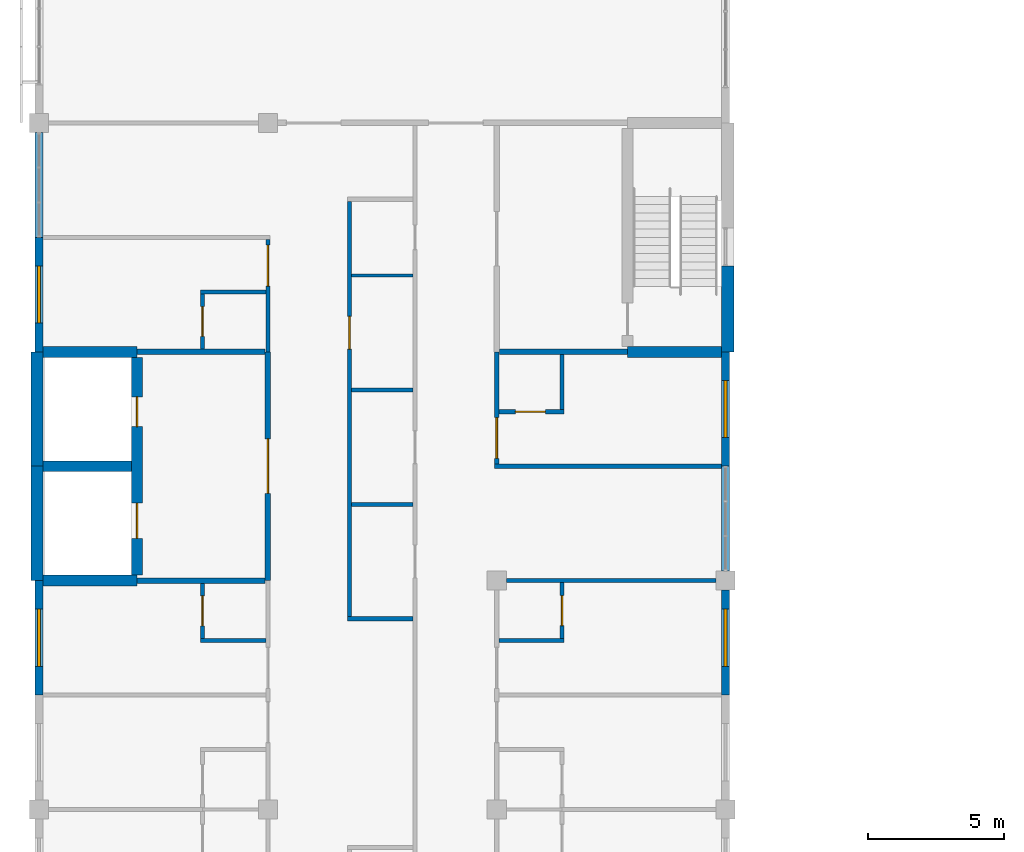
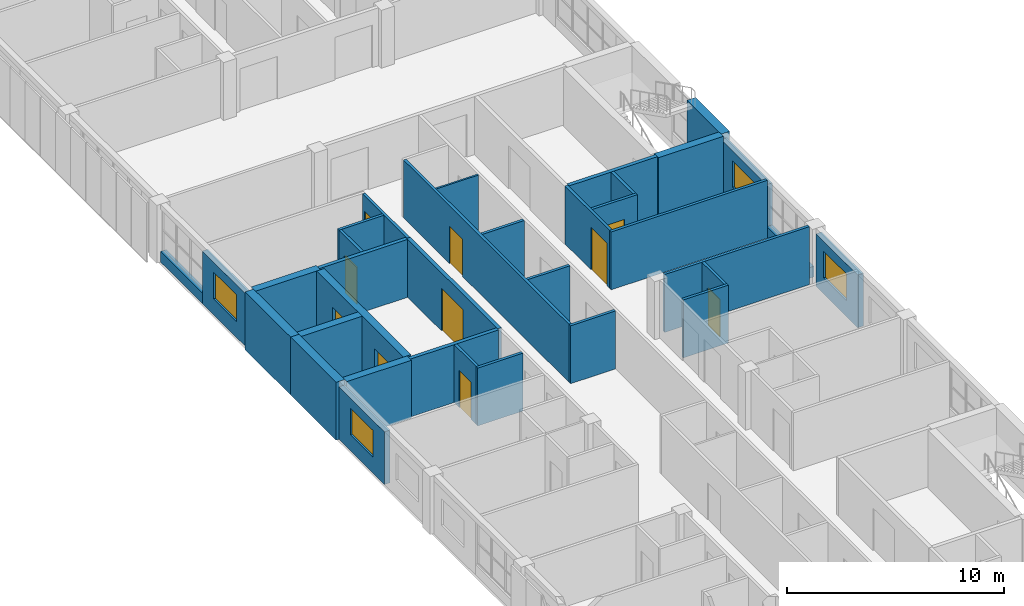
# One storey, part 40 of 61: 35 walls, 10 doors, 4 windows, 14 openings.
"""IFC4 building model written with IfcOpenShell, lengths in metres."""

import ifcopenshell
import ifcopenshell.guid

model = None  # the IFC model being written
_history = None  # IfcOwnerHistory: only IFC2X3 demands one
_inside = {}  # id of a spatial element -> (the spatial element, [elements in it])
_under = {}  # id of a project, library or spatial element -> (it, [spatial elements below it])
_declared = {}  # id of a project -> (the project, [libraries it declares])
_typed = {}  # id of a type object -> (the type object, [elements of that type])
_made_of = {}  # id of a material, layer set ... -> (it, [elements and type objects made of it])


def new_model(schema):
    """Start an empty IFC model of exactly this schema.

    Asked for "IFC4X3", IfcOpenShell would pick the latest addendum, in which some entities
    have other attributes; the version numbers below select the first issue.
    IFC2X3 requires an IfcOwnerHistory on every rooted entity: one is made here for all.
    """
    global model, _history
    if schema == "IFC4X3":
        model = ifcopenshell.file(schema_version=(4, 3, 0, 0))
    else:
        model = ifcopenshell.file(schema=schema)
    _inside.clear()
    _under.clear()
    _declared.clear()
    _typed.clear()
    _made_of.clear()
    _history = None
    if model.schema == "IFC2X3":
        org = make("IfcOrganization", Name="unknown")
        user = make(
            "IfcPersonAndOrganization",
            ThePerson=make("IfcPerson", FamilyName="unknown"),
            TheOrganization=org,
        )
        app = make(
            "IfcApplication",
            ApplicationDeveloper=org,
            Version="unknown",
            ApplicationFullName="unknown",
            ApplicationIdentifier="unknown",
        )
        _history = make(
            "IfcOwnerHistory",
            OwningUser=user,
            OwningApplication=app,
            ChangeAction="ADDED",
            CreationDate=0,
        )
    return model


def make(cls, **values):
    """One entity of the class cls with the attributes given. An attribute that is None is left unset."""
    return model.create_entity(
        cls, **{name: value for name, value in values.items() if value is not None}
    )


def rooted(cls, **values):
    """An entity with a GlobalId (a new one), such as an element, a storey or a relation."""
    return make(cls, GlobalId=ifcopenshell.guid.new(), OwnerHistory=_history, **values)


def si_unit(unit_type, name, prefix=None):
    """IfcSIUnit, for example si_unit("LENGTHUNIT", "METRE", prefix="MILLI")."""
    return make("IfcSIUnit", UnitType=unit_type, Prefix=prefix, Name=name)


def assignment(units):
    """IfcUnitAssignment: the units of a project."""
    return None if units is None else make("IfcUnitAssignment", Units=units)


def point(xyz):
    """IfcCartesianPoint."""
    return None if xyz is None else make("IfcCartesianPoint", Coordinates=xyz)


def direction(xyz):
    """IfcDirection."""
    return None if xyz is None else make("IfcDirection", DirectionRatios=xyz)


def frame(location, z_axis=None, x_axis=None):
    """IfcAxis2Placement3D, a coordinate frame: its origin and axes. An axis left out is left unset."""
    return make(
        "IfcAxis2Placement3D",
        Location=point(location),
        Axis=direction(z_axis),
        RefDirection=direction(x_axis),
    )


def frame_2d(location, x_axis=None):
    """IfcAxis2Placement2D, a coordinate frame in the plane: its origin and x axis."""
    return make(
        "IfcAxis2Placement2D", Location=point(location), RefDirection=direction(x_axis)
    )


def origin():
    """The frame at (0, 0, 0) with its axes left unset."""
    return frame((0.0, 0.0, 0.0))


def place(relative_to, where):
    """IfcLocalPlacement: puts the frame where relative to a parent placement (None: the world)."""
    return make(
        "IfcLocalPlacement", PlacementRelTo=relative_to, RelativePlacement=where
    )


def context(
    kind, dimensions, precision=None, world=None, true_north=None, identifier=None
):
    """IfcGeometricRepresentationContext, for example the 3D "Model" context."""
    return make(
        "IfcGeometricRepresentationContext",
        ContextIdentifier=identifier,
        ContextType=kind,
        CoordinateSpaceDimension=dimensions,
        Precision=precision,
        WorldCoordinateSystem=world,
        TrueNorth=true_north,
    )


def subcontext(parent, identifier, kind, view, scale=None):
    """IfcGeometricRepresentationSubContext, for example "Body" below "Model"."""
    return make(
        "IfcGeometricRepresentationSubContext",
        ContextIdentifier=identifier,
        ContextType=kind,
        ParentContext=parent,
        TargetScale=scale,
        TargetView=view,
    )


def project(units=None, contexts=None):
    """IfcProject with its units and contexts."""
    return rooted(
        "IfcProject",
        Name="project",
        RepresentationContexts=contexts,
        UnitsInContext=assignment(units),
    )


def spatial(cls, under=None, at=None, **own):
    """A site, building, storey or space (cls), placed at a placement, below another one or the project."""
    s = rooted(cls, ObjectPlacement=at, **own)
    if under is not None:
        _under.setdefault(under.id(), (under, []))[1].append(s)
    return s


def profile(cls, at=None, kind="AREA", **sizes):
    """A parametric profile (cls). Its sizes go by their IFC names, for example OverallWidth=200.0."""
    return make(cls, ProfileType=kind, Position=at, **sizes)


def rectangle(**sizes):
    """IfcRectangleProfileDef."""
    return profile("IfcRectangleProfileDef", **sizes)


def extrude(swept, where, along, depth):
    """IfcExtrudedAreaSolid: the profile swept, set in the frame where, extruded along a direction by depth."""
    return make(
        "IfcExtrudedAreaSolid",
        SweptArea=swept,
        Position=where,
        ExtrudedDirection=direction(along),
        Depth=depth,
    )


def shape(context_of_items, identifier, shape_type, items):
    """IfcShapeRepresentation: the items that make up one representation, for example the "Body"."""
    return make(
        "IfcShapeRepresentation",
        ContextOfItems=context_of_items,
        RepresentationIdentifier=identifier,
        RepresentationType=shape_type,
        Items=items,
    )


def material(Name=None, Category=None):
    """IfcMaterial."""
    return make("IfcMaterial", Name=Name, Category=Category)


def layer(
    of_material, thickness, ventilated=None, Name=None, Category=None, Priority=None
):
    """IfcMaterialLayer: one layer of a wall or slab, of a material (None: an air gap)."""
    return make(
        "IfcMaterialLayer",
        Material=of_material,
        LayerThickness=thickness,
        IsVentilated=ventilated,
        Name=Name,
        Category=Category,
        Priority=Priority,
    )


def layer_set(layers, Name=None):
    """IfcMaterialLayerSet."""
    return make("IfcMaterialLayerSet", MaterialLayers=layers, LayerSetName=Name)


def made_of(thing, what):
    """Note that an element or type object is made of a material, layer set ...; save() writes the relation."""
    if what is not None:
        _made_of.setdefault(what.id(), (what, []))[1].append(thing)
    return thing


def type_object(cls, material=None, **own):
    """A type object (cls), such as IfcWallType, which elements share."""
    return made_of(rooted(cls, **own), material)


def element(
    cls,
    number,
    at=None,
    inside=None,
    cuts=None,
    type_object=None,
    material=None,
    context=None,
    identifier="Body",
    shape_type=None,
    held_by="IfcProductDefinitionShape",
    body=None,
    shapes=None,
    **own,
):
    """One element of the class cls, such as IfcWall. Its Tag is "e" and its number.

    at: its placement. inside: the storey or other place that contains it. cuts: it is an
    opening in that element (IfcRelVoidsElement). A single representation is given by context,
    identifier, shape_type and body (its items); several are given by shapes. held_by: the class
    of the entity that holds the representations. save() writes the other relations.
    """
    e = rooted(cls, Tag="e%d" % number, ObjectPlacement=at, **own)
    if body is not None:
        shapes = [shape(context, identifier, shape_type, body)]
    if shapes is not None:
        e.Representation = make(held_by, Representations=shapes)
    if inside is not None:
        _inside.setdefault(inside.id(), (inside, []))[1].append(e)
    if cuts is not None:
        rooted(
            "IfcRelVoidsElement", RelatingBuildingElement=cuts, RelatedOpeningElement=e
        )
    if type_object is not None:
        _typed.setdefault(type_object.id(), (type_object, []))[1].append(e)
    return made_of(e, material)


def fill(opening, filler):
    """IfcRelFillsElement: the door or window that sits in an opening."""
    return rooted(
        "IfcRelFillsElement",
        RelatingOpeningElement=opening,
        RelatedBuildingElement=filler,
    )


def aggregate(whole, parts):
    """IfcRelAggregates: a whole, such as a stair, and the parts it consists of."""
    return rooted("IfcRelAggregates", RelatingObject=whole, RelatedObjects=parts)


def save(model, path):
    """Write the relations noted so far, then the file.

    IfcRelAggregates (storeys below a building ...), IfcRelContainedInSpatialStructure (elements
    in a storey), IfcRelDefinesByType, IfcRelAssociatesMaterial and IfcRelDeclares: one each for
    every whole, place, type object, material and project.
    """
    for whole, parts in _under.values():
        aggregate(whole, parts)
    for where, things in _inside.values():
        rooted(
            "IfcRelContainedInSpatialStructure",
            RelatedElements=things,
            RelatingStructure=where,
        )
    for kind, things in _typed.values():
        rooted("IfcRelDefinesByType", RelatedObjects=things, RelatingType=kind)
    for what, things in _made_of.values():
        rooted("IfcRelAssociatesMaterial", RelatedObjects=things, RelatingMaterial=what)
    for by, libraries in _declared.values():
        rooted("IfcRelDeclares", RelatingContext=by, RelatedDefinitions=libraries)
    model.write(path)


model = new_model("IFC4")

# Units and contexts
model_context = context("Model", 3, precision=1e-05, world=origin(), true_north=direction((0.0, 1.0)))
body_context = subcontext(model_context, "Body", "Model", "MODEL_VIEW")
ifc_project = project(units=[si_unit("LENGTHUNIT", "METRE"), si_unit("AREAUNIT", "SQUARE_METRE"), si_unit("VOLUMEUNIT", "CUBIC_METRE"), si_unit("PLANEANGLEUNIT", "RADIAN"), si_unit("MASSUNIT", "GRAM", prefix="KILO")], contexts=[model_context])

# Site, building, storey
site_placement = place(None, origin())
site = spatial("IfcSite", under=ifc_project, at=site_placement, CompositionType="ELEMENT")
building_placement = place(site_placement, origin())
building = spatial("IfcBuilding", under=site, at=building_placement, Name="Yavir Park General Hospital", CompositionType="ELEMENT")
storey_placement = place(building_placement, frame((0.0, 0.0, 15.300048828125)))
storey = spatial("IfcBuildingStorey", under=building, at=storey_placement, Name="L03", CompositionType="ELEMENT", Elevation=15.300048828125)

# Walls
ifc_material_1 = material(Name="Double gypsum board fire partition on steel studs", Category="steel")
ifc_layer_1 = layer(ifc_material_1, 0.199951171875)
ifc_layer_set_1 = layer_set([ifc_layer_1], Name="Double gypsum board fire partition on steel studs")
wall_type_1 = type_object("IfcWallType", Name="Fire-rated partition 200, EI 60", PredefinedType="PARTITIONING", material=ifc_layer_set_1)
for number, where, z_axis, x_axis, name in (
    (1, (3.60009765625, 67.199951171875, 0.0), (0.0, 0.0, 1.0), (1.0, 0.0, 0.0), "FP20 L03-103"),
    (2, (3.60009765625, 75.60009765625, 0.0), (0.0, 0.0, 1.0), (1.0, 0.0, 0.0), "FP20 L03-111"),
):
    element("IfcWall", number, at=place(storey_placement, frame(where, z_axis=z_axis, x_axis=x_axis)), inside=storey, type_object=wall_type_1, Name=name, PredefinedType="PARTITIONING", context=body_context, shape_type="SweptSolid", body=[
        extrude(rectangle(XDim=4.699951171875, YDim=0.199951171875, at=frame_2d((2.35009765625, 0.0))), origin(), (0.0, 0.0, 1.0), 3.260009765625),
    ])
wall_1_placement = place(storey_placement, frame((16.89990234375, 75.60009765625, 0.0), z_axis=(0.0, 0.0, 1.0), x_axis=(1.0, 0.0, 0.0)))
element("IfcWall", 3, at=wall_1_placement, inside=storey, type_object=wall_type_1, Name="FP20 L03-112", PredefinedType="PARTITIONING", context=body_context, shape_type="SweptSolid", body=[
    extrude(rectangle(XDim=4.7001953125, YDim=0.199951171875, at=frame_2d((2.35009765625, 0.0))), origin(), (0.0, 0.0, 1.0), 3.260009765625),
])

# Wall, opening, door
wall_2_placement = place(storey_placement, frame((8.39990234375, 67.199951171875, 0.0), z_axis=(0.0, 0.0, 1.0), x_axis=(0.0, 1.0, 0.0)))
wall_2 = element("IfcWall", 4, at=wall_2_placement, inside=storey, type_object=wall_type_1, Name="FP20 L03-172", PredefinedType="PARTITIONING", context=body_context, shape_type="SweptSolid", body=[
    extrude(rectangle(XDim=8.400146484375, YDim=0.199951171875, at=frame_2d((4.2001953125, 0.0))), origin(), (0.0, 0.0, 1.0), 3.260009765625),
])
opening_1_placement = place(wall_2_placement, frame((3.199951171875, 0.0, 0.0)))
opening_1 = element("IfcOpeningElement", 5, at=opening_1_placement, cuts=wall_2, Name="Opening L03.D112", PredefinedType="OPENING", context=body_context, shape_type="SweptSolid", body=[
    extrude(rectangle(XDim=2.0, YDim=2.39990234375, at=frame_2d((1.0, 1.199951171875))), frame((0.0, 0.10986328125, 0.0), z_axis=(0.0, -1.0, 0.0), x_axis=(1.0, 0.0, 0.0)), (0.0, 0.0, 1.0), 0.219970703125),
])
ifc_material_2 = material(Name="Steel frame, fire-resisting leaves with vision panels", Category="steel")
door_type_1 = type_object("IfcDoorType", Name="Double fire door with vision panels 2000 x 2400, EI 60", OperationType="DOUBLE_DOOR_SINGLE_SWING", PredefinedType="DOOR", material=ifc_material_2)
door_1_placement = place(opening_1_placement, origin())
door_1 = element("IfcDoor", 6, at=door_1_placement, inside=storey, type_object=door_type_1, Name="L03.D112", OperationType="SINGLE_SWING_RIGHT", OverallHeight=2.39990234375, OverallWidth=2.0, PredefinedType="DOOR", context=body_context, shape_type="SweptSolid", body=[
    extrude(rectangle(XDim=2.0, YDim=2.39990234375, at=frame_2d((1.0, 1.199951171875))), frame((0.0, 0.030029296875, 0.0), z_axis=(0.0, -1.0, 0.0), x_axis=(1.0, 0.0, 0.0)), (0.0, 0.0, 1.0), 0.06005859375),
])
fill(opening_1, door_1)

# Walls
ifc_material_3 = material(Name="Gypsum board partition on steel studs", Category="steel")
ifc_layer_2 = layer(ifc_material_3, 0.10009765625)
ifc_layer_set_2 = layer_set([ifc_layer_2], Name="Gypsum board partition on steel studs")
wall_type_2 = type_object("IfcWallType", Name="Gypsum board partition 100", PredefinedType="PARTITIONING", material=ifc_layer_set_2)
wall_3_placement = place(storey_placement, frame((11.47509765625, 78.39990234375, 0.0), z_axis=(0.0, 0.0, 1.0), x_axis=(1.0, 0.0, 0.0)))
element("IfcWall", 7, at=wall_3_placement, inside=storey, type_object=wall_type_2, Name="P10 L03-115", PredefinedType="PARTITIONING", context=body_context, shape_type="SweptSolid", body=[
    extrude(rectangle(XDim=2.25, YDim=0.10009765625, at=frame_2d((1.125, 0.0))), origin(), (0.0, 0.0, 1.0), 3.260009765625),
])
ifc_material_4 = material(Name="Gypsum board partition on steel studs", Category="steel")
ifc_layer_3 = layer(ifc_material_4, 0.14990234375)
ifc_layer_set_3 = layer_set([ifc_layer_3], Name="Gypsum board partition on steel studs")
wall_type_3 = type_object("IfcWallType", Name="Gypsum board partition 150", PredefinedType="PARTITIONING", material=ifc_layer_set_3)
for number, where, z_axis, x_axis, name in (
    (8, (5.925048828125, 65.0, 0.0), (0.0, 0.0, 1.0), (1.0, 0.0, 0.0), "P15 L03-099"),
    (9, (16.875, 65.0, 0.0), (0.0, 0.0, 1.0), (1.0, 0.0, 0.0), "P15 L03-100"),
):
    element("IfcWall", number, at=place(storey_placement, frame(where, z_axis=z_axis, x_axis=x_axis)), inside=storey, type_object=wall_type_3, Name=name, PredefinedType="PARTITIONING", context=body_context, shape_type="SweptSolid", body=[
        extrude(rectangle(XDim=2.39990234375, YDim=0.14990234375, at=frame_2d((1.199951171875, 0.0))), origin(), (0.0, 0.0, 1.0), 3.260009765625),
    ])
wall_4_placement = place(storey_placement, frame((11.324951171875, 65.800048828125, 0.0), z_axis=(0.0, 0.0, 1.0), x_axis=(1.0, 0.0, 0.0)))
element("IfcWall", 10, at=wall_4_placement, inside=storey, type_object=wall_type_3, Name="P15 L03-101", PredefinedType="PARTITIONING", context=body_context, shape_type="SweptSolid", body=[
    extrude(rectangle(XDim=2.400146484375, YDim=0.14990234375, at=frame_2d((1.2001953125, 0.0))), origin(), (0.0, 0.0, 1.0), 3.260009765625),
])
wall_5_placement = place(storey_placement, frame((17.14990234375, 67.199951171875, 0.0), z_axis=(0.0, 0.0, 1.0), x_axis=(1.0, 0.0, 0.0)))
element("IfcWall", 11, at=wall_5_placement, inside=storey, type_object=wall_type_3, Name="P15 L03-104", PredefinedType="PARTITIONING", context=body_context, shape_type="SweptSolid", body=[
    extrude(rectangle(XDim=7.7001953125, YDim=0.14990234375, at=frame_2d((3.85009765625, 0.0))), origin(), (0.0, 0.0, 1.0), 3.260009765625),
])
wall_6_placement = place(storey_placement, frame((11.47509765625, 70.0, 0.0), z_axis=(0.0, 0.0, 1.0), x_axis=(1.0, 0.0, 0.0)))
element("IfcWall", 12, at=wall_6_placement, inside=storey, type_object=wall_type_3, Name="P15 L03-105", PredefinedType="PARTITIONING", context=body_context, shape_type="SweptSolid", body=[
    extrude(rectangle(XDim=2.25, YDim=0.14990234375, at=frame_2d((1.125, 0.0))), origin(), (0.0, 0.0, 1.0), 3.260009765625),
])
wall_7_placement = place(storey_placement, frame((16.72509765625, 71.39990234375, 0.0), z_axis=(0.0, 0.0, 1.0), x_axis=(1.0, 0.0, 0.0)))
element("IfcWall", 13, at=wall_7_placement, inside=storey, type_object=wall_type_3, Name="P15 L03-107", PredefinedType="PARTITIONING", context=body_context, shape_type="SweptSolid", body=[
    extrude(rectangle(XDim=8.324951171875, YDim=0.14990234375, at=frame_2d((4.16259765625, 0.0))), origin(), (0.0, 0.0, 1.0), 3.260009765625),
])

# Wall, opening, door
wall_8_placement = place(storey_placement, frame((16.875, 73.39990234375, 0.0), z_axis=(0.0, 0.0, 1.0), x_axis=(1.0, 0.0, 0.0)))
wall_8 = element("IfcWall", 14, at=wall_8_placement, inside=storey, type_object=wall_type_3, Name="P15 L03-108", PredefinedType="PARTITIONING", context=body_context, shape_type="SweptSolid", body=[
    extrude(rectangle(XDim=2.39990234375, YDim=0.14990234375, at=frame_2d((1.199951171875, 0.0))), origin(), (0.0, 0.0, 1.0), 3.260009765625),
])
opening_2_placement = place(wall_8_placement, frame((0.612548828125, 0.0, 0.0)))
opening_2 = element("IfcOpeningElement", 15, at=opening_2_placement, cuts=wall_8, Name="Opening L03.D083", PredefinedType="OPENING", context=body_context, shape_type="SweptSolid", body=[
    extrude(rectangle(XDim=1.10009765625, YDim=2.10009765625, at=frame_2d((0.550048828125, 1.050048828125))), frame((0.0, 0.0849609375, 0.0), z_axis=(0.0, -1.0, 0.0), x_axis=(1.0, 0.0, 0.0)), (0.0, 0.0, 1.0), 0.169921875),
])
ifc_material_5 = material(Name="Hollow metal frame, solid-core timber leaf", Category="wood")
door_type_2 = type_object("IfcDoorType", Name="Single swing door 1100 x 2100", OperationType="SINGLE_SWING_LEFT", PredefinedType="DOOR", material=ifc_material_5)
door_2_placement = place(opening_2_placement, origin())
door_2 = element("IfcDoor", 16, at=door_2_placement, inside=storey, type_object=door_type_2, Name="L03.D083", OperationType="SINGLE_SWING_LEFT", OverallHeight=2.10009765625, OverallWidth=1.10009765625, PredefinedType="DOOR", context=body_context, shape_type="SweptSolid", body=[
    extrude(rectangle(XDim=1.10009765625, YDim=2.10009765625, at=frame_2d((0.550048828125, 1.050048828125))), frame((0.0, 0.02490234375, 0.0), z_axis=(0.0, -1.0, 0.0), x_axis=(1.0, 0.0, 0.0)), (0.0, 0.0, 1.0), 0.050048828125),
])
fill(opening_2, door_2)

# Walls
wall_9_placement = place(storey_placement, frame((11.47509765625, 74.199951171875, 0.0), z_axis=(0.0, 0.0, 1.0), x_axis=(1.0, 0.0, 0.0)))
element("IfcWall", 17, at=wall_9_placement, inside=storey, type_object=wall_type_3, Name="P15 L03-109", PredefinedType="PARTITIONING", context=body_context, shape_type="SweptSolid", body=[
    extrude(rectangle(XDim=2.25, YDim=0.14990234375, at=frame_2d((1.125, 0.0))), origin(), (0.0, 0.0, 1.0), 3.260009765625),
])
wall_10_placement = place(storey_placement, frame((5.925048828125, 77.800048828125, 0.0), z_axis=(0.0, 0.0, 1.0), x_axis=(1.0, 0.0, 0.0)))
element("IfcWall", 18, at=wall_10_placement, inside=storey, type_object=wall_type_3, Name="P15 L03-114", PredefinedType="PARTITIONING", context=body_context, shape_type="SweptSolid", body=[
    extrude(rectangle(XDim=2.39990234375, YDim=0.14990234375, at=frame_2d((1.199951171875, 0.0))), origin(), (0.0, 0.0, 1.0), 3.260009765625),
])

# Wall, opening, door
wall_11_placement = place(storey_placement, frame((6.0, 65.074951171875, 0.0), z_axis=(0.0, 0.0, 1.0), x_axis=(0.0, 1.0, 0.0)))
wall_11 = element("IfcWall", 19, at=wall_11_placement, inside=storey, type_object=wall_type_3, Name="P15 L03-157", PredefinedType="PARTITIONING", context=body_context, shape_type="SweptSolid", body=[
    extrude(rectangle(XDim=2.025146484375, YDim=0.14990234375, at=frame_2d((1.0126953125, 0.0))), origin(), (0.0, 0.0, 1.0), 3.260009765625),
])
opening_3_placement = place(wall_11_placement, frame((0.46240234375, 0.0, 0.0)))
opening_3 = element("IfcOpeningElement", 20, at=opening_3_placement, cuts=wall_11, Name="Opening L03.D099", PredefinedType="OPENING", context=body_context, shape_type="SweptSolid", body=[
    extrude(rectangle(XDim=1.10009765625, YDim=2.10009765625, at=frame_2d((0.550048828125, 1.050048828125))), frame((0.0, 0.0849609375, 0.0), z_axis=(0.0, -1.0, 0.0), x_axis=(1.0, 0.0, 0.0)), (0.0, 0.0, 1.0), 0.169921875),
])
door_3_placement = place(opening_3_placement, origin())
door_3 = element("IfcDoor", 21, at=door_3_placement, inside=storey, type_object=door_type_2, Name="L03.D099", OperationType="SINGLE_SWING_LEFT", OverallHeight=2.10009765625, OverallWidth=1.10009765625, PredefinedType="DOOR", context=body_context, shape_type="SweptSolid", body=[
    extrude(rectangle(XDim=1.10009765625, YDim=2.10009765625, at=frame_2d((0.550048828125, 1.050048828125))), frame((0.0, 0.02490234375, 0.0), z_axis=(0.0, -1.0, 0.0), x_axis=(1.0, 0.0, 0.0)), (0.0, 0.0, 1.0), 0.050048828125),
])
fill(opening_3, door_3)

wall_12_placement = place(storey_placement, frame((6.0, 75.699951171875, 0.0), z_axis=(0.0, 0.0, 1.0), x_axis=(0.0, 1.0, 0.0)))
wall_12 = element("IfcWall", 22, at=wall_12_placement, inside=storey, type_object=wall_type_3, Name="P15 L03-158", PredefinedType="PARTITIONING", context=body_context, shape_type="SweptSolid", body=[
    extrude(rectangle(XDim=2.025146484375, YDim=0.14990234375, at=frame_2d((1.0126953125, 0.0))), origin(), (0.0, 0.0, 1.0), 3.260009765625),
])
opening_4_placement = place(wall_12_placement, frame((0.46240234375, 0.0, 0.0)))
opening_4 = element("IfcOpeningElement", 23, at=opening_4_placement, cuts=wall_12, Name="Opening L03.D100", PredefinedType="OPENING", context=body_context, shape_type="SweptSolid", body=[
    extrude(rectangle(XDim=1.10009765625, YDim=2.10009765625, at=frame_2d((0.550048828125, 1.050048828125))), frame((0.0, 0.0849609375, 0.0), z_axis=(0.0, -1.0, 0.0), x_axis=(1.0, 0.0, 0.0)), (0.0, 0.0, 1.0), 0.169921875),
])
door_4_placement = place(opening_4_placement, origin())
door_4 = element("IfcDoor", 24, at=door_4_placement, inside=storey, type_object=door_type_2, Name="L03.D100", OperationType="SINGLE_SWING_RIGHT", OverallHeight=2.10009765625, OverallWidth=1.10009765625, PredefinedType="DOOR", context=body_context, shape_type="SweptSolid", body=[
    extrude(rectangle(XDim=1.10009765625, YDim=2.10009765625, at=frame_2d((0.550048828125, 1.050048828125))), frame((0.0, 0.02490234375, 0.0), z_axis=(0.0, -1.0, 0.0), x_axis=(1.0, 0.0, 0.0)), (0.0, 0.0, 1.0), 0.050048828125),
])
fill(opening_4, door_4)

wall_13_placement = place(storey_placement, frame((8.39990234375, 75.60009765625, 0.0), z_axis=(0.0, 0.0, 1.0), x_axis=(0.0, 1.0, 0.0)))
wall_13 = element("IfcWall", 25, at=wall_13_placement, inside=storey, type_object=wall_type_3, Name="P15 L03-173", PredefinedType="PARTITIONING", context=body_context, shape_type="SweptSolid", body=[
    extrude(rectangle(XDim=4.125, YDim=0.14990234375, at=frame_2d((2.0625, 0.0))), origin(), (0.0, 0.0, 1.0), 3.260009765625),
])
opening_5_placement = place(wall_13_placement, frame((2.41259765625, 0.0, 0.0)))
opening_5 = element("IfcOpeningElement", 26, at=opening_5_placement, cuts=wall_13, Name="Opening L03.D113", PredefinedType="OPENING", context=body_context, shape_type="SweptSolid", body=[
    extrude(rectangle(XDim=1.5, YDim=2.39990234375, at=frame_2d((0.75, 1.199951171875))), frame((0.0, 0.0849609375, 0.0), z_axis=(0.0, -1.0, 0.0), x_axis=(1.0, 0.0, 0.0)), (0.0, 0.0, 1.0), 0.169921875),
])
ifc_material_6 = material(Name="Solid-core timber leaves, push plates, kick plates", Category="wood")
door_type_3 = type_object("IfcDoorType", Name="Bed door, unequal leaves 1500 x 2400", OperationType="DOUBLE_DOOR_SINGLE_SWING", PredefinedType="DOOR", material=ifc_material_6)
door_5_placement = place(opening_5_placement, origin())
door_5 = element("IfcDoor", 27, at=door_5_placement, inside=storey, type_object=door_type_3, Name="L03.D113", OperationType="SINGLE_SWING_RIGHT", OverallHeight=2.39990234375, OverallWidth=1.5, PredefinedType="DOOR", context=body_context, shape_type="SweptSolid", body=[
    extrude(rectangle(XDim=1.5, YDim=2.39990234375, at=frame_2d((0.75, 1.199951171875))), frame((0.0, 0.030029296875, 0.0), z_axis=(0.0, -1.0, 0.0), x_axis=(1.0, 0.0, 0.0)), (0.0, 0.0, 1.0), 0.06005859375),
])
fill(opening_5, door_5)

wall_14_placement = place(storey_placement, frame((11.39990234375, 65.875, 0.0), z_axis=(0.0, 0.0, 1.0), x_axis=(0.0, 1.0, 0.0)))
wall_14 = element("IfcWall", 28, at=wall_14_placement, inside=storey, type_object=wall_type_3, Name="P15 L03-180", PredefinedType="PARTITIONING", context=body_context, shape_type="SweptSolid", body=[
    extrude(rectangle(XDim=15.25, YDim=0.14990234375, at=frame_2d((7.625, 0.0))), origin(), (0.0, 0.0, 1.0), 3.260009765625),
])
opening_6_placement = place(wall_14_placement, frame((9.824951171875, 0.0, 0.0)))
opening_6 = element("IfcOpeningElement", 29, at=opening_6_placement, cuts=wall_14, Name="Opening L03.D120", PredefinedType="OPENING", context=body_context, shape_type="SweptSolid", body=[
    extrude(rectangle(XDim=1.199951171875, YDim=2.10009765625, at=frame_2d((0.60009765625, 1.050048828125))), frame((0.0, 0.0849609375, 0.0), z_axis=(0.0, -1.0, 0.0), x_axis=(1.0, 0.0, 0.0)), (0.0, 0.0, 1.0), 0.169921875),
])
ifc_material_7 = material(Name="Hollow metal frame, solid-core timber leaf", Category="wood")
door_type_4 = type_object("IfcDoorType", Name="Single swing door 1200 x 2100", OperationType="SINGLE_SWING_LEFT", PredefinedType="DOOR", material=ifc_material_7)
door_6_placement = place(opening_6_placement, origin())
door_6 = element("IfcDoor", 30, at=door_6_placement, inside=storey, type_object=door_type_4, Name="L03.D120", OperationType="SINGLE_SWING_LEFT", OverallHeight=2.10009765625, OverallWidth=1.199951171875, PredefinedType="DOOR", context=body_context, shape_type="SweptSolid", body=[
    extrude(rectangle(XDim=1.199951171875, YDim=2.10009765625, at=frame_2d((0.60009765625, 1.050048828125))), frame((0.0, 0.02490234375, 0.0), z_axis=(0.0, -1.0, 0.0), x_axis=(1.0, 0.0, 0.0)), (0.0, 0.0, 1.0), 0.050048828125),
])
fill(opening_6, door_6)

wall_15_placement = place(storey_placement, frame((16.800048828125, 71.47509765625, 0.0), z_axis=(0.0, 0.0, 1.0), x_axis=(0.0, 1.0, 0.0)))
wall_15 = element("IfcWall", 31, at=wall_15_placement, inside=storey, type_object=wall_type_3, Name="P15 L03-195", PredefinedType="PARTITIONING", context=body_context, shape_type="SweptSolid", body=[
    extrude(rectangle(XDim=4.125, YDim=0.14990234375, at=frame_2d((2.0625, 0.0))), origin(), (0.0, 0.0, 1.0), 3.260009765625),
])
opening_7_placement = place(wall_15_placement, frame((0.21240234375, 0.0, 0.0)))
opening_7 = element("IfcOpeningElement", 32, at=opening_7_placement, cuts=wall_15, Name="Opening L03.D137", PredefinedType="OPENING", context=body_context, shape_type="SweptSolid", body=[
    extrude(rectangle(XDim=1.5, YDim=2.39990234375, at=frame_2d((0.75, 1.199951171875))), frame((0.0, 0.0849609375, 0.0), z_axis=(0.0, -1.0, 0.0), x_axis=(1.0, 0.0, 0.0)), (0.0, 0.0, 1.0), 0.169921875),
])
door_7_placement = place(opening_7_placement, origin())
door_7 = element("IfcDoor", 33, at=door_7_placement, inside=storey, type_object=door_type_3, Name="L03.D137", OperationType="SINGLE_SWING_RIGHT", OverallHeight=2.39990234375, OverallWidth=1.5, PredefinedType="DOOR", context=body_context, shape_type="SweptSolid", body=[
    extrude(rectangle(XDim=1.5, YDim=2.39990234375, at=frame_2d((0.75, 1.199951171875))), frame((0.0, 0.030029296875, 0.0), z_axis=(0.0, -1.0, 0.0), x_axis=(1.0, 0.0, 0.0)), (0.0, 0.0, 1.0), 0.06005859375),
])
fill(opening_7, door_7)

wall_16_placement = place(storey_placement, frame((19.199951171875, 65.074951171875, 0.0), z_axis=(0.0, 0.0, 1.0), x_axis=(0.0, 1.0, 0.0)))
wall_16 = element("IfcWall", 34, at=wall_16_placement, inside=storey, type_object=wall_type_3, Name="P15 L03-204", PredefinedType="PARTITIONING", context=body_context, shape_type="SweptSolid", body=[
    extrude(rectangle(XDim=2.050048828125, YDim=0.14990234375, at=frame_2d((1.02490234375, 0.0))), origin(), (0.0, 0.0, 1.0), 3.260009765625),
])
opening_8_placement = place(wall_16_placement, frame((0.47509765625, 0.0, 0.0)))
opening_8 = element("IfcOpeningElement", 35, at=opening_8_placement, cuts=wall_16, Name="Opening L03.D147", PredefinedType="OPENING", context=body_context, shape_type="SweptSolid", body=[
    extrude(rectangle(XDim=1.10009765625, YDim=2.10009765625, at=frame_2d((0.550048828125, 1.050048828125))), frame((0.0, 0.0849609375, 0.0), z_axis=(0.0, -1.0, 0.0), x_axis=(1.0, 0.0, 0.0)), (0.0, 0.0, 1.0), 0.169921875),
])
door_8_placement = place(opening_8_placement, origin())
door_8 = element("IfcDoor", 36, at=door_8_placement, inside=storey, type_object=door_type_2, Name="L03.D147", OperationType="SINGLE_SWING_RIGHT", OverallHeight=2.10009765625, OverallWidth=1.10009765625, PredefinedType="DOOR", context=body_context, shape_type="SweptSolid", body=[
    extrude(rectangle(XDim=1.10009765625, YDim=2.10009765625, at=frame_2d((0.550048828125, 1.050048828125))), frame((0.0, 0.02490234375, 0.0), z_axis=(0.0, -1.0, 0.0), x_axis=(1.0, 0.0, 0.0)), (0.0, 0.0, 1.0), 0.050048828125),
])
fill(opening_8, door_8)

# Wall
wall_17_placement = place(storey_placement, frame((19.199951171875, 73.47509765625, 0.0), z_axis=(0.0, 0.0, 1.0), x_axis=(0.0, 1.0, 0.0)))
element("IfcWall", 37, at=wall_17_placement, inside=storey, type_object=wall_type_3, Name="P15 L03-205", PredefinedType="PARTITIONING", context=body_context, shape_type="SweptSolid", body=[
    extrude(rectangle(XDim=2.02490234375, YDim=0.14990234375, at=frame_2d((1.012451171875, 0.0))), origin(), (0.0, 0.0, 1.0), 3.260009765625),
])

# Wall, opening, window
ifc_material_8 = material(Name="Autoclaved aerated block, mineral wool and ochre mineral render")
ifc_layer_4 = layer(ifc_material_8, 0.300048828125)
ifc_layer_set_4 = layer_set([ifc_layer_4], Name="Autoclaved aerated block, mineral wool and ochre mineral render")
wall_type_4 = type_object("IfcWallType", Name="Ochre render ward wall 300, E 30", PredefinedType="SOLIDWALL", material=ifc_layer_set_4)
wall_18_placement = place(storey_placement, frame((0.0, 63.0, 0.0), z_axis=(0.0, 0.0, 1.0), x_axis=(0.0, 1.0, 0.0)))
wall_18 = element("IfcWall", 38, at=wall_18_placement, inside=storey, type_object=wall_type_4, Name="XW7 L03-110", PredefinedType="SOLIDWALL", context=body_context, shape_type="SweptSolid", body=[
    extrude(rectangle(XDim=4.199951171875, YDim=0.300048828125, at=frame_2d((2.10009765625, 0.0))), origin(), (0.0, 0.0, 1.0), 2.9599609375),
])
opening_9_placement = place(wall_18_placement, frame((1.050048828125, 0.0, 0.89990234375)))
opening_9 = element("IfcOpeningElement", 39, at=opening_9_placement, cuts=wall_18, Name="Opening WAR", PredefinedType="OPENING", context=body_context, shape_type="SweptSolid", body=[
    extrude(rectangle(XDim=2.10009765625, YDim=1.5, at=frame_2d((1.050048828125, 0.75))), frame((0.0, 0.159912109375, 0.0), z_axis=(0.0, -1.0, 0.0), x_axis=(1.0, 0.0, 0.0)), (0.0, 0.0, 1.0), 0.320068359375),
])
ifc_material_9 = material(Name="Aluminium frame, tilt-and-turn sash with opening restrictor, double glazed unit", Category="aluminium")
window_type = type_object("IfcWindowType", Name="Ward window, restricted opening 2100 x 1500", PartitioningType="DOUBLE_PANEL_VERTICAL", PredefinedType="WINDOW", material=ifc_material_9)
window_1_placement = place(opening_9_placement, origin())
window_1 = element("IfcWindow", 40, at=window_1_placement, inside=storey, type_object=window_type, Name="WAR L03-054", OverallHeight=1.5, OverallWidth=2.10009765625, PartitioningType="DOUBLE_PANEL_VERTICAL", PredefinedType="WINDOW", context=body_context, shape_type="SweptSolid", body=[
    extrude(rectangle(XDim=2.10009765625, YDim=1.5, at=frame_2d((1.050048828125, 0.75))), frame((0.0, 0.050048828125, 0.0), z_axis=(0.0, -1.0, 0.0), x_axis=(1.0, 0.0, 0.0)), (0.0, 0.0, 1.0), 0.10009765625),
])
fill(opening_9, window_1)

wall_19_placement = place(storey_placement, frame((0.0, 75.60009765625, 0.0), z_axis=(0.0, 0.0, 1.0), x_axis=(0.0, 1.0, 0.0)))
wall_19 = element("IfcWall", 41, at=wall_19_placement, inside=storey, type_object=wall_type_4, Name="XW7 L03-113", PredefinedType="SOLIDWALL", context=body_context, shape_type="SweptSolid", body=[
    extrude(rectangle(XDim=4.199951171875, YDim=0.300048828125, at=frame_2d((2.10009765625, 0.0))), origin(), (0.0, 0.0, 1.0), 2.9599609375),
])
opening_10_placement = place(wall_19_placement, frame((1.050048828125, 0.0, 0.89990234375)))
opening_10 = element("IfcOpeningElement", 42, at=opening_10_placement, cuts=wall_19, Name="Opening WAR", PredefinedType="OPENING", context=body_context, shape_type="SweptSolid", body=[
    extrude(rectangle(XDim=2.10009765625, YDim=1.5, at=frame_2d((1.050048828125, 0.75))), frame((0.0, 0.159912109375, 0.0), z_axis=(0.0, -1.0, 0.0), x_axis=(1.0, 0.0, 0.0)), (0.0, 0.0, 1.0), 0.320068359375),
])
window_2_placement = place(opening_10_placement, origin())
window_2 = element("IfcWindow", 43, at=window_2_placement, inside=storey, type_object=window_type, Name="WAR L03-055", OverallHeight=1.5, OverallWidth=2.10009765625, PartitioningType="DOUBLE_PANEL_VERTICAL", PredefinedType="WINDOW", context=body_context, shape_type="SweptSolid", body=[
    extrude(rectangle(XDim=2.10009765625, YDim=1.5, at=frame_2d((1.050048828125, 0.75))), frame((0.0, 0.050048828125, 0.0), z_axis=(0.0, -1.0, 0.0), x_axis=(1.0, 0.0, 0.0)), (0.0, 0.0, 1.0), 0.10009765625),
])
fill(opening_10, window_2)

# Wall
wall_20_placement = place(storey_placement, frame((0.0, 79.800048828125, 0.0), z_axis=(0.0, 0.0, 1.0), x_axis=(0.0, 1.0, 0.0)))
element("IfcWall", 44, at=wall_20_placement, inside=storey, type_object=wall_type_4, Name="XW7 L03-114", PredefinedType="SOLIDWALL", context=body_context, shape_type="SweptSolid", body=[
    extrude(rectangle(XDim=3.849853515625, YDim=0.300048828125, at=frame_2d((1.9248046875, 0.0))), origin(), (0.0, 0.0, 1.0), 0.599853515625),
])

# Wall, opening, window
wall_21_placement = place(storey_placement, frame((25.199951171875, 63.0, 0.0), z_axis=(0.0, 0.0, 1.0), x_axis=(0.0, 1.0, 0.0)))
wall_21 = element("IfcWall", 45, at=wall_21_placement, inside=storey, type_object=wall_type_4, Name="XW7 L03-133", PredefinedType="SOLIDWALL", context=body_context, shape_type="SweptSolid", body=[
    extrude(rectangle(XDim=3.85009765625, YDim=0.300048828125, at=frame_2d((1.925048828125, 0.0))), origin(), (0.0, 0.0, 1.0), 2.9599609375),
])
opening_11_placement = place(wall_21_placement, frame((1.050048828125, 0.0, 0.89990234375)))
opening_11 = element("IfcOpeningElement", 46, at=opening_11_placement, cuts=wall_21, Name="Opening WAR", PredefinedType="OPENING", context=body_context, shape_type="SweptSolid", body=[
    extrude(rectangle(XDim=2.10009765625, YDim=1.5, at=frame_2d((1.050048828125, 0.75))), frame((0.0, 0.159912109375, 0.0), z_axis=(0.0, -1.0, 0.0), x_axis=(1.0, 0.0, 0.0)), (0.0, 0.0, 1.0), 0.320068359375),
])
window_3_placement = place(opening_11_placement, origin())
window_3 = element("IfcWindow", 47, at=window_3_placement, inside=storey, type_object=window_type, Name="WAR L03-066", OverallHeight=1.5, OverallWidth=2.10009765625, PartitioningType="DOUBLE_PANEL_VERTICAL", PredefinedType="WINDOW", context=body_context, shape_type="SweptSolid", body=[
    extrude(rectangle(XDim=2.10009765625, YDim=1.5, at=frame_2d((1.050048828125, 0.75))), frame((0.0, 0.050048828125, 0.0), z_axis=(0.0, -1.0, 0.0), x_axis=(1.0, 0.0, 0.0)), (0.0, 0.0, 1.0), 0.10009765625),
])
fill(opening_11, window_3)

# Wall
wall_22_placement = place(storey_placement, frame((25.199951171875, 67.550048828125, 0.0), z_axis=(0.0, 0.0, 1.0), x_axis=(0.0, 1.0, 0.0)))
element("IfcWall", 48, at=wall_22_placement, inside=storey, type_object=wall_type_4, Name="XW7 L03-134", PredefinedType="SOLIDWALL", context=body_context, shape_type="SweptSolid", body=[
    extrude(rectangle(XDim=3.849853515625, YDim=0.300048828125, at=frame_2d((1.9248046875, 0.0))), origin(), (0.0, 0.0, 1.0), 0.599853515625),
])

# Wall, opening, window
wall_23_placement = place(storey_placement, frame((25.199951171875, 71.39990234375, 0.0), z_axis=(0.0, 0.0, 1.0), x_axis=(0.0, 1.0, 0.0)))
wall_23 = element("IfcWall", 49, at=wall_23_placement, inside=storey, type_object=wall_type_4, Name="XW7 L03-135", PredefinedType="SOLIDWALL", context=body_context, shape_type="SweptSolid", body=[
    extrude(rectangle(XDim=4.2001953125, YDim=0.300048828125, at=frame_2d((2.10009765625, 0.0))), origin(), (0.0, 0.0, 1.0), 2.9599609375),
])
opening_12_placement = place(wall_23_placement, frame((1.050048828125, 0.0, 0.89990234375)))
opening_12 = element("IfcOpeningElement", 50, at=opening_12_placement, cuts=wall_23, Name="Opening WAR", PredefinedType="OPENING", context=body_context, shape_type="SweptSolid", body=[
    extrude(rectangle(XDim=2.10009765625, YDim=1.5, at=frame_2d((1.050048828125, 0.75))), frame((0.0, 0.159912109375, 0.0), z_axis=(0.0, -1.0, 0.0), x_axis=(1.0, 0.0, 0.0)), (0.0, 0.0, 1.0), 0.320068359375),
])
window_4_placement = place(opening_12_placement, origin())
window_4 = element("IfcWindow", 51, at=window_4_placement, inside=storey, type_object=window_type, Name="WAR L03-067", OverallHeight=1.5, OverallWidth=2.10009765625, PartitioningType="DOUBLE_PANEL_VERTICAL", PredefinedType="WINDOW", context=body_context, shape_type="SweptSolid", body=[
    extrude(rectangle(XDim=2.10009765625, YDim=1.5, at=frame_2d((1.050048828125, 0.75))), frame((0.0, 0.050048828125, 0.0), z_axis=(0.0, -1.0, 0.0), x_axis=(1.0, 0.0, 0.0)), (0.0, 0.0, 1.0), 0.10009765625),
])
fill(opening_12, window_4)

# Walls
ifc_material_10 = material(Name="Concrete C35/45", Category="concrete")
ifc_layer_5 = layer(ifc_material_10, 0.39990234375)
ifc_layer_set_5 = layer_set([ifc_layer_5], Name="Concrete C35/45")
wall_type_5 = type_object("IfcWallType", Name="Reinforced concrete core wall 400, REI 150", PredefinedType="SHEAR", material=ifc_layer_set_5)
wall_24_placement = place(storey_placement, frame((0.14990234375, 67.199951171875, 0.0), z_axis=(0.0, 0.0, 1.0), x_axis=(1.0, 0.0, 0.0)))
element("IfcWall", 52, at=wall_24_placement, inside=storey, type_object=wall_type_5, Name="CW40 L03-102", PredefinedType="SHEAR", context=body_context, shape_type="SweptSolid", body=[
    extrude(rectangle(XDim=3.4501953125, YDim=0.39990234375, at=frame_2d((1.72509765625, 0.0))), origin(), (0.0, 0.0, 1.0), 3.260009765625),
])
wall_25_placement = place(storey_placement, frame((0.14990234375, 71.39990234375, 0.0), z_axis=(0.0, 0.0, 1.0), x_axis=(1.0, 0.0, 0.0)))
element("IfcWall", 53, at=wall_25_placement, inside=storey, type_object=wall_type_5, Name="CW40 L03-106", PredefinedType="SHEAR", context=body_context, shape_type="SweptSolid", body=[
    extrude(rectangle(XDim=3.25, YDim=0.39990234375, at=frame_2d((1.625, 0.0))), origin(), (0.0, 0.0, 1.0), 3.260009765625),
])
wall_26_placement = place(storey_placement, frame((0.14990234375, 75.60009765625, 0.0), z_axis=(0.0, 0.0, 1.0), x_axis=(1.0, 0.0, 0.0)))
element("IfcWall", 54, at=wall_26_placement, inside=storey, type_object=wall_type_5, Name="CW40 L03-110", PredefinedType="SHEAR", context=body_context, shape_type="SweptSolid", body=[
    extrude(rectangle(XDim=3.4501953125, YDim=0.39990234375, at=frame_2d((1.72509765625, 0.0))), origin(), (0.0, 0.0, 1.0), 3.260009765625),
])
wall_27_placement = place(storey_placement, frame((21.60009765625, 75.60009765625, 0.0), z_axis=(0.0, 0.0, 1.0), x_axis=(1.0, 0.0, 0.0)))
element("IfcWall", 55, at=wall_27_placement, inside=storey, type_object=wall_type_5, Name="CW40 L03-113", PredefinedType="SHEAR", context=body_context, shape_type="SweptSolid", body=[
    extrude(rectangle(XDim=3.449951171875, YDim=0.39990234375, at=frame_2d((1.72509765625, 0.0))), origin(), (0.0, 0.0, 1.0), 3.260009765625),
])

# Wall, openings, doors
wall_28_placement = place(storey_placement, frame((3.60009765625, 67.39990234375, 0.0), z_axis=(0.0, 0.0, 1.0), x_axis=(0.0, 1.0, 0.0)))
wall_28 = element("IfcWall", 56, at=wall_28_placement, inside=storey, type_object=wall_type_5, Name="CW40 L03-149", PredefinedType="SHEAR", context=body_context, shape_type="SweptSolid", body=[
    extrude(rectangle(XDim=8.0, YDim=0.39990234375, at=frame_2d((4.0, 0.0))), origin(), (0.0, 0.0, 1.0), 3.260009765625),
])
opening_13_placement = place(wall_28_placement, frame((1.35009765625, 0.0, 0.0)))
opening_13 = element("IfcOpeningElement", 57, at=opening_13_placement, cuts=wall_28, Name="Opening L03.D091", PredefinedType="OPENING", context=body_context, shape_type="SweptSolid", body=[
    extrude(rectangle(XDim=1.300048828125, YDim=2.10009765625, at=frame_2d((0.64990234375, 1.050048828125))), frame((0.0, 0.2099609375, 0.0), z_axis=(0.0, -1.0, 0.0), x_axis=(1.0, 0.0, 0.0)), (0.0, 0.0, 1.0), 0.419921875),
])
opening_14_placement = place(wall_28_placement, frame((5.449951171875, 0.0, 0.0)))
opening_14 = element("IfcOpeningElement", 58, at=opening_14_placement, cuts=wall_28, Name="Opening L03.D092", PredefinedType="OPENING", context=body_context, shape_type="SweptSolid", body=[
    extrude(rectangle(XDim=1.10009765625, YDim=2.10009765625, at=frame_2d((0.550048828125, 1.050048828125))), frame((0.0, 0.2099609375, 0.0), z_axis=(0.0, -1.0, 0.0), x_axis=(1.0, 0.0, 0.0)), (0.0, 0.0, 1.0), 0.419921875),
])
ifc_material_11 = material(Name="Stainless steel landing door panels", Category="steel")
door_type_5 = type_object("IfcDoorType", Name="Lift landing door 1100 x 2100, EI 60", OperationType="SLIDING_TO_LEFT", PredefinedType="DOOR", material=ifc_material_11)
door_9_placement = place(opening_14_placement, origin())
door_9 = element("IfcDoor", 59, at=door_9_placement, inside=storey, type_object=door_type_5, Name="L03.D092", OperationType="SLIDING_TO_LEFT", OverallHeight=2.10009765625, OverallWidth=1.10009765625, PredefinedType="DOOR", context=body_context, shape_type="SweptSolid", body=[
    extrude(rectangle(XDim=1.10009765625, YDim=2.10009765625, at=frame_2d((0.550048828125, 1.050048828125))), frame((0.0, 0.02490234375, 0.0), z_axis=(0.0, -1.0, 0.0), x_axis=(1.0, 0.0, 0.0)), (0.0, 0.0, 1.0), 0.050048828125),
])
fill(opening_14, door_9)
ifc_material_12 = material(Name="Stainless steel landing door panels", Category="steel")
door_type_6 = type_object("IfcDoorType", Name="Lift landing door 1300 x 2100, EI 60", OperationType="SLIDING_TO_LEFT", PredefinedType="DOOR", material=ifc_material_12)
door_10_placement = place(opening_13_placement, origin())
door_10 = element("IfcDoor", 60, at=door_10_placement, inside=storey, type_object=door_type_6, Name="L03.D091", OperationType="SLIDING_TO_LEFT", OverallHeight=2.10009765625, OverallWidth=1.300048828125, PredefinedType="DOOR", context=body_context, shape_type="SweptSolid", body=[
    extrude(rectangle(XDim=1.300048828125, YDim=2.10009765625, at=frame_2d((0.64990234375, 1.050048828125))), frame((0.0, 0.02490234375, 0.0), z_axis=(0.0, -1.0, 0.0), x_axis=(1.0, 0.0, 0.0)), (0.0, 0.0, 1.0), 0.050048828125),
])
fill(opening_13, door_10)

# Walls
ifc_material_13 = material(Name="Concrete C30/37 precast panel with 150 mm mineral wool insulation", Category="concrete")
ifc_layer_6 = layer(ifc_material_13, 0.449951171875)
ifc_layer_set_6 = layer_set([ifc_layer_6], Name="Concrete C30/37 precast panel with 150 mm mineral wool insulation")
wall_type_6 = type_object("IfcWallType", Name="Stair enclosure wall 450, REI 150", PredefinedType="SOLIDWALL", material=ifc_layer_set_6)
wall_29_placement = place(storey_placement, frame((-0.074951171875, 67.199951171875, 0.0), z_axis=(0.0, 0.0, 1.0), x_axis=(0.0, 1.0, 0.0)))
element("IfcWall", 61, at=wall_29_placement, inside=storey, type_object=wall_type_6, Name="XW6 L03-111", PredefinedType="SOLIDWALL", context=body_context, shape_type="SweptSolid", body=[
    extrude(rectangle(XDim=4.199951171875, YDim=0.449951171875, at=frame_2d((2.10009765625, 0.0))), origin(), (0.0, 0.0, 1.0), 3.260009765625),
])
wall_30_placement = place(storey_placement, frame((-0.074951171875, 71.39990234375, 0.0), z_axis=(0.0, 0.0, 1.0), x_axis=(0.0, 1.0, 0.0)))
element("IfcWall", 62, at=wall_30_placement, inside=storey, type_object=wall_type_6, Name="XW6 L03-112", PredefinedType="SOLIDWALL", context=body_context, shape_type="SweptSolid", body=[
    extrude(rectangle(XDim=4.2001953125, YDim=0.449951171875, at=frame_2d((2.10009765625, 0.0))), origin(), (0.0, 0.0, 1.0), 3.260009765625),
])
wall_31_placement = place(storey_placement, frame((25.27490234375, 75.60009765625, 0.0), z_axis=(0.0, 0.0, 1.0), x_axis=(0.0, 1.0, 0.0)))
element("IfcWall", 63, at=wall_31_placement, inside=storey, type_object=wall_type_6, Name="XW6 L03-136", PredefinedType="SOLIDWALL", context=body_context, shape_type="SweptSolid", body=[
    extrude(rectangle(XDim=3.14990234375, YDim=0.449951171875, at=frame_2d((1.574951171875, 0.0))), origin(), (0.0, 0.0, 1.0), 3.260009765625),
])

save(model, "model.ifc")
